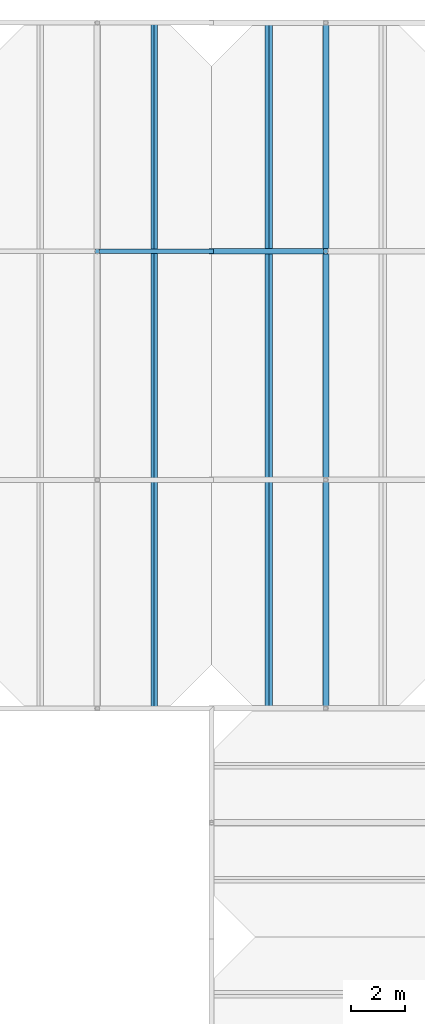
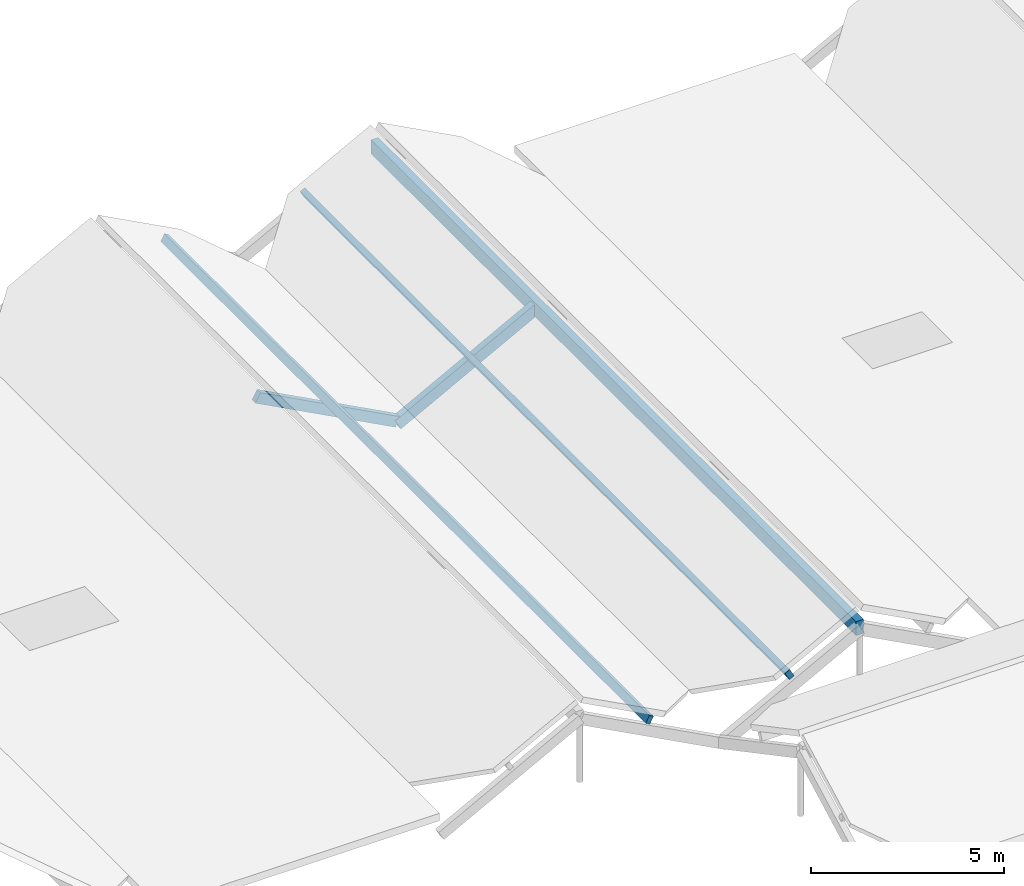
# One storey, part 61 of 82: 4 members, 1 beam.
"""IFC4 building model written with IfcOpenShell, lengths in metres."""

from ifc_helpers import new_model, si_unit, direction, frame, origin, origin_2d, place, context, subcontext, project, spatial, rectangle, extrude, material, material_profile, profile_set, type_object, element, save


model = new_model("IFC4")

# Units and contexts
model_context = context("Model", 3, precision=1e-05, world=origin(), true_north=direction((0.0, 1.0)))
body_context = subcontext(model_context, "Body", "Model", "MODEL_VIEW")
ifc_project = project(units=[si_unit("LENGTHUNIT", "METRE"), si_unit("AREAUNIT", "SQUARE_METRE"), si_unit("VOLUMEUNIT", "CUBIC_METRE"), si_unit("PLANEANGLEUNIT", "RADIAN"), si_unit("MASSUNIT", "GRAM", prefix="KILO")], contexts=[model_context])

# Site, building, storey
site_placement = place(None, origin())
site = spatial("IfcSite", under=ifc_project, at=site_placement, CompositionType="ELEMENT")
building_placement = place(site_placement, origin())
building = spatial("IfcBuilding", under=site, at=building_placement, Name="Bramfleet General Hospital", CompositionType="ELEMENT")
storey_placement = place(building_placement, frame((0.0, 0.0, 34.199951171875)))
storey = spatial("IfcBuildingStorey", under=building, at=storey_placement, Name="Roof", CompositionType="ELEMENT", Elevation=34.199951171875)

# Beam
ifc_material = material(Name="Structural timber GL28h", Category="wood")
ifc_material_profile_1 = material_profile(ifc_material, rectangle(XDim=0.219970703125, YDim=0.43994140625, at=origin_2d()), Name="GL28h 440x220")
ifc_profile_set_1 = profile_set([ifc_material_profile_1], Name="Structural timber GL28h")
beam_type = type_object("IfcBeamType", Name="BM-GL440", PredefinedType="BEAM", material=ifc_profile_set_1)
beam_placement = place(storey_placement, frame((96.60009765625, 92.39990234375, 1.476806640625), z_axis=(0.0, 1.0, 0.0), x_axis=(-1.0, 0.0, 0.0)))
element("IfcBeam", 1, at=beam_placement, inside=storey, type_object=beam_type, Name="Patient House PH-03 Glulam Ridge Beam", PredefinedType="BEAM", context=body_context, shape_type="SweptSolid", body=[
    extrude(rectangle(XDim=0.219970703125, YDim=0.43994140625, at=origin_2d()), origin(), (0.0, 0.0, 1.0), 25.2001953125),
])

# Members
ifc_material_profile_2 = material_profile(ifc_material, rectangle(XDim=0.139892578125, YDim=0.239990234375, at=origin_2d()), Name="GL28h 240x140")
ifc_profile_set_2 = profile_set([ifc_material_profile_2], Name="Structural timber GL28h")
member_type_1 = type_object("IfcMemberType", Name="MEM-PR-GL240", PredefinedType="PURLIN", material=ifc_profile_set_2)
member_1_placement = place(storey_placement, frame((90.300048828125, 92.39990234375, 0.754638671875), z_axis=(0.0, 1.0, 0.0), x_axis=(-0.882947592859, 0.0, 0.469471562786)))
element("IfcMember", 2, at=member_1_placement, inside=storey, type_object=member_type_1, Name="Patient House PH-02 East Glulam Purlin", PredefinedType="PURLIN", context=body_context, shape_type="SweptSolid", body=[
    extrude(rectangle(XDim=0.139892578125, YDim=0.239990234375, at=origin_2d()), origin(), (0.0, 0.0, 1.0), 25.2001953125),
])
ifc_material_profile_3 = material_profile(ifc_material, rectangle(XDim=0.159912109375, YDim=0.280029296875, at=origin_2d()), Name="GL28h 280x160")
ifc_profile_set_3 = profile_set([ifc_material_profile_3], Name="Structural timber GL28h")
member_type_2 = type_object("IfcMemberType", Name="MEM-PR-GL280", PredefinedType="PURLIN", material=ifc_profile_set_3)
member_2_placement = place(storey_placement, frame((94.5, 92.39990234375, 0.71533203125), z_axis=(0.0, 1.0, 0.0), x_axis=(-0.882947592859, 0.0, -0.469471562786)))
element("IfcMember", 3, at=member_2_placement, inside=storey, type_object=member_type_2, Name="Patient House PH-03 West Glulam Purlin", PredefinedType="PURLIN", context=body_context, shape_type="SweptSolid", body=[
    extrude(rectangle(XDim=0.159912109375, YDim=0.280029296875, at=origin_2d()), origin(), (0.0, 0.0, 1.0), 25.2001953125),
])
ifc_material_profile_4 = material_profile(ifc_material, rectangle(XDim=0.179931640625, YDim=0.320068359375, at=origin_2d()), Name="GL28h 320x180")
ifc_profile_set_4 = profile_set([ifc_material_profile_4], Name="Structural timber GL28h")
member_type_3 = type_object("IfcMemberType", Name="MEM-RF-GL320", PredefinedType="RAFTER", material=ifc_profile_set_4)
member_3_placement = place(storey_placement, frame((88.199951171875, 109.199951171875, 1.561279296875), z_axis=(0.882947536541, 0.0, -0.469471668705), x_axis=(0.0, 1.0, 0.0)))
element("IfcMember", 4, at=member_3_placement, inside=storey, type_object=member_type_3, Name="Patient House PH-02 East Glulam Rafter 2", PredefinedType="RAFTER", context=body_context, shape_type="SweptSolid", body=[
    extrude(rectangle(XDim=0.179931640625, YDim=0.320068359375, at=origin_2d()), origin(), (0.0, 0.0, 1.0), 4.7568359375),
])
ifc_material_profile_5 = material_profile(ifc_material, rectangle(XDim=0.199951171875, YDim=0.360107421875, at=origin_2d()), Name="GL28h 360x200")
ifc_profile_set_5 = profile_set([ifc_material_profile_5], Name="Structural timber GL28h")
member_type_4 = type_object("IfcMemberType", Name="MEM-RF-GL360", PredefinedType="RAFTER", material=ifc_profile_set_5)
member_4_placement = place(storey_placement, frame((92.39990234375, 109.199951171875, -0.75634765625), z_axis=(0.882958848035, 0.0, 0.469450394267), x_axis=(0.0, 1.0, 0.0)))
element("IfcMember", 5, at=member_4_placement, inside=storey, type_object=member_type_4, Name="Patient House PH-03 West Glulam Rafter 2", PredefinedType="RAFTER", context=body_context, shape_type="SweptSolid", body=[
    extrude(rectangle(XDim=0.199951171875, YDim=0.360107421875, at=origin_2d()), origin(), (0.0, 0.0, 1.0), 4.7568359375),
])

save(model, "model.ifc")
